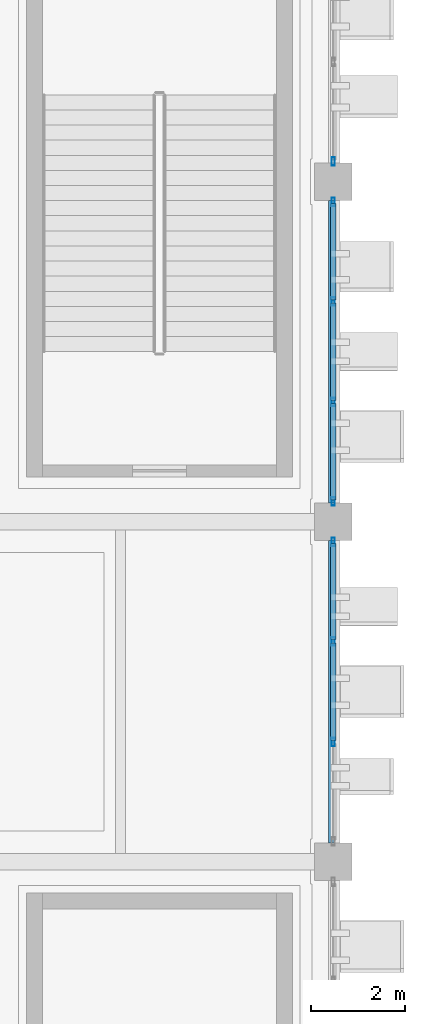
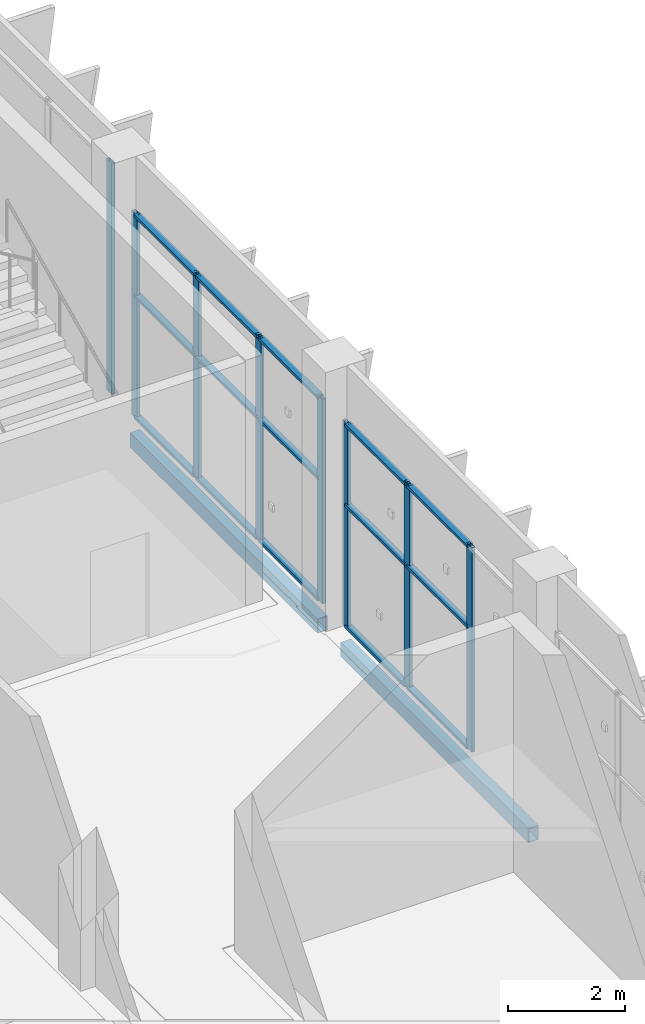
# One storey, part 50 of 137: 23 members, 2 beams, 3 elements without a shape of their own.
"""IFC4 building model written with IfcOpenShell, lengths in metres."""

from ifc_helpers import new_model, si_unit, direction, frame, origin, origin_2d, place, context, subcontext, project, spatial, hollow_rectangle, extrude, material, layer, layer_set, material_profile, profile_set, type_object, element, aggregate, save


model = new_model("IFC4")

# Units and contexts
model_context = context("Model", 3, precision=1e-05, world=origin(), true_north=direction((0.0, 1.0)))
body_context = subcontext(model_context, "Body", "Model", "MODEL_VIEW")
ifc_project = project(units=[si_unit("LENGTHUNIT", "METRE"), si_unit("AREAUNIT", "SQUARE_METRE"), si_unit("VOLUMEUNIT", "CUBIC_METRE"), si_unit("PLANEANGLEUNIT", "RADIAN"), si_unit("MASSUNIT", "GRAM", prefix="KILO")], contexts=[model_context])

# Site, building, storey
site_placement = place(None, origin())
site = spatial("IfcSite", under=ifc_project, at=site_placement, CompositionType="ELEMENT")
building_placement = place(site_placement, origin())
building = spatial("IfcBuilding", under=site, at=building_placement, Name="Celestram Park Convention Centre", CompositionType="ELEMENT")
storey_placement = place(building_placement, origin())
storey = spatial("IfcBuildingStorey", under=building, at=storey_placement, Name="L00", CompositionType="ELEMENT", Elevation=0.0)

# Curtain wall, member
ifc_material_1 = material(Name="Anodised Aluminium Alloy 6063-T6", Category="aluminium")
ifc_layer_1 = layer(ifc_material_1, 0.179931640625)
ifc_layer_set_1 = layer_set([ifc_layer_1], Name="Anodised Aluminium Alloy 6063-T6")
curtain_wall_type_1 = type_object("IfcCurtainWallType", Name="ARC-CW-640X482", PredefinedType="NOTDEFINED", material=ifc_layer_set_1)
curtain_wall_1_placement = place(storey_placement, origin())
curtain_wall_1 = element("IfcCurtainWall", 1, at=curtain_wall_1_placement, inside=storey, type_object=curtain_wall_type_1, Name="Unitised curtain wall CU-L00-021", PredefinedType="NOTDEFINED")
ifc_material_profile_1 = material_profile(ifc_material_1, hollow_rectangle(XDim=0.06494140625, YDim=0.179931640625, WallThickness=0.00390625, at=origin_2d()), Name="ALU65X180X4")
ifc_profile_set_1 = profile_set([ifc_material_profile_1], Name="Anodised Aluminium Alloy 6063-T6")
member_type_1 = type_object("IfcMemberType", Name="ARC-CWM-150", PredefinedType="MULLION", material=ifc_profile_set_1)
member_1_placement = place(storey_placement, frame((216.0, 29.23046875, 0.0), z_axis=(0.0, 0.0, 1.0), x_axis=(1.0, 0.0, 0.0)))
member_1 = element("IfcMember", 2, at=member_1_placement, type_object=member_type_1, Name="CW-64X48 mullion 4", PredefinedType="MULLION", context=body_context, shape_type="SweptSolid", body=[
    extrude(hollow_rectangle(XDim=0.06494140625, YDim=0.179931640625, WallThickness=0.00390625, at=origin_2d()), origin(), (0.0, 0.0, 1.0), 4.820068359375),
])
aggregate(curtain_wall_1, [member_1])

# Curtain wall, members
ifc_layer_2 = layer(ifc_material_1, 0.179931640625)
ifc_layer_set_2 = layer_set([ifc_layer_2], Name="Anodised Aluminium Alloy 6063-T6")
curtain_wall_type_2 = type_object("IfcCurtainWallType", Name="ARC-CW-640X426", PredefinedType="NOTDEFINED", material=ifc_layer_set_2)
curtain_wall_2_placement = place(storey_placement, origin())
curtain_wall_2 = element("IfcCurtainWall", 3, at=curtain_wall_2_placement, inside=storey, type_object=curtain_wall_type_2, Name="Unitised curtain wall CU-L00-022", PredefinedType="NOTDEFINED")
member_2_placement = place(storey_placement, frame((216.0, 28.369384765625, 0.0), z_axis=(0.0, 0.0, 1.0), x_axis=(1.0, 0.0, 0.0)))
member_2 = element("IfcMember", 4, at=member_2_placement, type_object=member_type_1, Name="CW-64X42 mullion 1", PredefinedType="MULLION", context=body_context, shape_type="SweptSolid", body=[
    extrude(hollow_rectangle(XDim=0.06494140625, YDim=0.179931640625, WallThickness=0.00390625, at=origin_2d()), origin(), (0.0, 0.0, 1.0), 4.263916015625),
])
member_3_placement = place(storey_placement, frame((216.0, 26.267333984375, 0.0), z_axis=(0.0, 0.0, 1.0), x_axis=(1.0, 0.0, 0.0)))
member_3 = element("IfcMember", 5, at=member_3_placement, type_object=member_type_1, Name="CW-64X42 mullion 2", PredefinedType="MULLION", context=body_context, shape_type="SweptSolid", body=[
    extrude(hollow_rectangle(XDim=0.06494140625, YDim=0.179931640625, WallThickness=0.00390625, at=origin_2d()), origin(), (0.0, 0.0, 1.0), 4.263916015625),
])
member_4_placement = place(storey_placement, frame((216.0, 24.132568359375, 0.0), z_axis=(0.0, 0.0, 1.0), x_axis=(1.0, 0.0, 0.0)))
member_4 = element("IfcMember", 6, at=member_4_placement, type_object=member_type_1, Name="CW-64X42 mullion 3", PredefinedType="MULLION", context=body_context, shape_type="SweptSolid", body=[
    extrude(hollow_rectangle(XDim=0.06494140625, YDim=0.179931640625, WallThickness=0.00390625, at=origin_2d()), origin(), (0.0, 0.0, 1.0), 4.263916015625),
])
member_5_placement = place(storey_placement, frame((216.0, 22.030517578125, 0.0), z_axis=(0.0, 0.0, 1.0), x_axis=(1.0, 0.0, 0.0)))
member_5 = element("IfcMember", 7, at=member_5_placement, type_object=member_type_1, Name="CW-64X42 mullion 4", PredefinedType="MULLION", context=body_context, shape_type="SweptSolid", body=[
    extrude(hollow_rectangle(XDim=0.06494140625, YDim=0.179931640625, WallThickness=0.00390625, at=origin_2d()), origin(), (0.0, 0.0, 1.0), 4.263916015625),
])

curtain_wall_3_placement = place(storey_placement, origin())
curtain_wall_3 = element("IfcCurtainWall", 8, at=curtain_wall_3_placement, inside=storey, type_object=curtain_wall_type_2, Name="Unitised curtain wall CU-L00-023", PredefinedType="NOTDEFINED")
member_6_placement = place(storey_placement, frame((216.0, 21.16943359375, 0.0), z_axis=(0.0, 0.0, 1.0), x_axis=(1.0, 0.0, 0.0)))
member_6 = element("IfcMember", 9, at=member_6_placement, type_object=member_type_1, Name="CW-64X42 mullion 1", PredefinedType="MULLION", context=body_context, shape_type="SweptSolid", body=[
    extrude(hollow_rectangle(XDim=0.06494140625, YDim=0.179931640625, WallThickness=0.00390625, at=origin_2d()), origin(), (0.0, 0.0, 1.0), 4.263916015625),
])
member_7_placement = place(storey_placement, frame((216.0, 19.0673828125, 0.0), z_axis=(0.0, 0.0, 1.0), x_axis=(1.0, 0.0, 0.0)))
member_7 = element("IfcMember", 10, at=member_7_placement, type_object=member_type_1, Name="CW-64X42 mullion 2", PredefinedType="MULLION", context=body_context, shape_type="SweptSolid", body=[
    extrude(hollow_rectangle(XDim=0.06494140625, YDim=0.179931640625, WallThickness=0.00390625, at=origin_2d()), origin(), (0.0, 0.0, 1.0), 4.263916015625),
])
member_8_placement = place(storey_placement, frame((216.0, 16.9326171875, 0.0), z_axis=(0.0, 0.0, 1.0), x_axis=(1.0, 0.0, 0.0)))
member_8 = element("IfcMember", 11, at=member_8_placement, type_object=member_type_1, Name="CW-64X42 mullion 3", PredefinedType="MULLION", context=body_context, shape_type="SweptSolid", body=[
    extrude(hollow_rectangle(XDim=0.06494140625, YDim=0.179931640625, WallThickness=0.00390625, at=origin_2d()), origin(), (0.0, 0.0, 1.0), 4.263916015625),
])

# Member
ifc_material_profile_2 = material_profile(ifc_material_1, hollow_rectangle(XDim=0.1201171875, YDim=0.06005859375, WallThickness=0.0029296875, at=origin_2d()), Name="ALU120X60X3")
ifc_profile_set_2 = profile_set([ifc_material_profile_2], Name="Anodised Aluminium Alloy 6063-T6")
member_type_2 = type_object("IfcMemberType", Name="ARC-CWT-120", PredefinedType="USERDEFINED", material=ifc_profile_set_2)
member_9_placement = place(storey_placement, frame((216.0, 28.3369140625, 0.030029296875), z_axis=(0.0, -1.0, 0.0), x_axis=(1.0, 0.0, 0.0)))
member_9 = element("IfcMember", 12, at=member_9_placement, type_object=member_type_2, Name="CW-64X42 transom 1.1", ObjectType="TRANSOM", PredefinedType="USERDEFINED", context=body_context, shape_type="SweptSolid", body=[
    extrude(hollow_rectangle(XDim=0.1201171875, YDim=0.06005859375, WallThickness=0.0029296875, at=origin_2d()), origin(), (0.0, 0.0, 1.0), 2.037109375),
])

member_10_placement = place(storey_placement, frame((216.0, 28.3369140625, 2.55810546875), z_axis=(0.0, -1.0, 0.0), x_axis=(1.0, 0.0, 0.0)))
member_10 = element("IfcMember", 13, at=member_10_placement, type_object=member_type_2, Name="CW-64X42 transom 1.2", ObjectType="TRANSOM", PredefinedType="USERDEFINED", context=body_context, shape_type="SweptSolid", body=[
    extrude(hollow_rectangle(XDim=0.1201171875, YDim=0.06005859375, WallThickness=0.0029296875, at=origin_2d()), origin(), (0.0, 0.0, 1.0), 2.037109375),
])

member_11_placement = place(storey_placement, frame((216.0, 28.3369140625, 4.23388671875), z_axis=(0.0, -1.0, 0.0), x_axis=(1.0, 0.0, 0.0)))
member_11 = element("IfcMember", 14, at=member_11_placement, type_object=member_type_2, Name="CW-64X42 transom 1.3", ObjectType="TRANSOM", PredefinedType="USERDEFINED", context=body_context, shape_type="SweptSolid", body=[
    extrude(hollow_rectangle(XDim=0.1201171875, YDim=0.06005859375, WallThickness=0.0029296875, at=origin_2d()), origin(), (0.0, 0.0, 1.0), 2.037109375),
])

member_12_placement = place(storey_placement, frame((216.0, 26.23486328125, 0.030029296875), z_axis=(0.0, -1.0, 0.0), x_axis=(1.0, 0.0, 0.0)))
member_12 = element("IfcMember", 15, at=member_12_placement, type_object=member_type_2, Name="CW-64X42 transom 2.1", ObjectType="TRANSOM", PredefinedType="USERDEFINED", context=body_context, shape_type="SweptSolid", body=[
    extrude(hollow_rectangle(XDim=0.1201171875, YDim=0.06005859375, WallThickness=0.0029296875, at=origin_2d()), origin(), (0.0, 0.0, 1.0), 2.069580078125),
])

member_13_placement = place(storey_placement, frame((216.0, 26.23486328125, 2.55810546875), z_axis=(0.0, -1.0, 0.0), x_axis=(1.0, 0.0, 0.0)))
member_13 = element("IfcMember", 16, at=member_13_placement, type_object=member_type_2, Name="CW-64X42 transom 2.2", ObjectType="TRANSOM", PredefinedType="USERDEFINED", context=body_context, shape_type="SweptSolid", body=[
    extrude(hollow_rectangle(XDim=0.1201171875, YDim=0.06005859375, WallThickness=0.0029296875, at=origin_2d()), origin(), (0.0, 0.0, 1.0), 2.069580078125),
])

member_14_placement = place(storey_placement, frame((216.0, 26.23486328125, 4.23388671875), z_axis=(0.0, -1.0, 0.0), x_axis=(1.0, 0.0, 0.0)))
member_14 = element("IfcMember", 17, at=member_14_placement, type_object=member_type_2, Name="CW-64X42 transom 2.3", ObjectType="TRANSOM", PredefinedType="USERDEFINED", context=body_context, shape_type="SweptSolid", body=[
    extrude(hollow_rectangle(XDim=0.1201171875, YDim=0.06005859375, WallThickness=0.0029296875, at=origin_2d()), origin(), (0.0, 0.0, 1.0), 2.069580078125),
])

member_15_placement = place(storey_placement, frame((216.0, 24.10009765625, 0.030029296875), z_axis=(0.0, -1.0, 0.0), x_axis=(1.0, 0.0, 0.0)))
member_15 = element("IfcMember", 18, at=member_15_placement, type_object=member_type_2, Name="CW-64X42 transom 3.1", ObjectType="TRANSOM", PredefinedType="USERDEFINED", context=body_context, shape_type="SweptSolid", body=[
    extrude(hollow_rectangle(XDim=0.1201171875, YDim=0.06005859375, WallThickness=0.0029296875, at=origin_2d()), origin(), (0.0, 0.0, 1.0), 2.037109375),
])

member_16_placement = place(storey_placement, frame((216.0, 24.10009765625, 2.55810546875), z_axis=(0.0, -1.0, 0.0), x_axis=(1.0, 0.0, 0.0)))
member_16 = element("IfcMember", 19, at=member_16_placement, type_object=member_type_2, Name="CW-64X42 transom 3.2", ObjectType="TRANSOM", PredefinedType="USERDEFINED", context=body_context, shape_type="SweptSolid", body=[
    extrude(hollow_rectangle(XDim=0.1201171875, YDim=0.06005859375, WallThickness=0.0029296875, at=origin_2d()), origin(), (0.0, 0.0, 1.0), 2.037109375),
])

member_17_placement = place(storey_placement, frame((216.0, 24.10009765625, 4.23388671875), z_axis=(0.0, -1.0, 0.0), x_axis=(1.0, 0.0, 0.0)))
member_17 = element("IfcMember", 20, at=member_17_placement, type_object=member_type_2, Name="CW-64X42 transom 3.3", ObjectType="TRANSOM", PredefinedType="USERDEFINED", context=body_context, shape_type="SweptSolid", body=[
    extrude(hollow_rectangle(XDim=0.1201171875, YDim=0.06005859375, WallThickness=0.0029296875, at=origin_2d()), origin(), (0.0, 0.0, 1.0), 2.037109375),
])

aggregate(curtain_wall_2, [member_2, member_3, member_4, member_5, member_9, member_10, member_11, member_12, member_13, member_14, member_15, member_16, member_17])

member_18_placement = place(storey_placement, frame((216.0, 21.136962890625, 0.030029296875), z_axis=(0.0, -1.0, 0.0), x_axis=(1.0, 0.0, 0.0)))
member_18 = element("IfcMember", 21, at=member_18_placement, type_object=member_type_2, Name="CW-64X42 transom 1.1", ObjectType="TRANSOM", PredefinedType="USERDEFINED", context=body_context, shape_type="SweptSolid", body=[
    extrude(hollow_rectangle(XDim=0.1201171875, YDim=0.06005859375, WallThickness=0.0029296875, at=origin_2d()), origin(), (0.0, 0.0, 1.0), 2.037109375),
])

member_19_placement = place(storey_placement, frame((216.0, 21.136962890625, 2.55810546875), z_axis=(0.0, -1.0, 0.0), x_axis=(1.0, 0.0, 0.0)))
member_19 = element("IfcMember", 22, at=member_19_placement, type_object=member_type_2, Name="CW-64X42 transom 1.2", ObjectType="TRANSOM", PredefinedType="USERDEFINED", context=body_context, shape_type="SweptSolid", body=[
    extrude(hollow_rectangle(XDim=0.1201171875, YDim=0.06005859375, WallThickness=0.0029296875, at=origin_2d()), origin(), (0.0, 0.0, 1.0), 2.037109375),
])

member_20_placement = place(storey_placement, frame((216.0, 21.136962890625, 4.23388671875), z_axis=(0.0, -1.0, 0.0), x_axis=(1.0, 0.0, 0.0)))
member_20 = element("IfcMember", 23, at=member_20_placement, type_object=member_type_2, Name="CW-64X42 transom 1.3", ObjectType="TRANSOM", PredefinedType="USERDEFINED", context=body_context, shape_type="SweptSolid", body=[
    extrude(hollow_rectangle(XDim=0.1201171875, YDim=0.06005859375, WallThickness=0.0029296875, at=origin_2d()), origin(), (0.0, 0.0, 1.0), 2.037109375),
])

member_21_placement = place(storey_placement, frame((216.0, 19.034912109375, 0.030029296875), z_axis=(0.0, -1.0, 0.0), x_axis=(1.0, 0.0, 0.0)))
member_21 = element("IfcMember", 24, at=member_21_placement, type_object=member_type_2, Name="CW-64X42 transom 2.1", ObjectType="TRANSOM", PredefinedType="USERDEFINED", context=body_context, shape_type="SweptSolid", body=[
    extrude(hollow_rectangle(XDim=0.1201171875, YDim=0.06005859375, WallThickness=0.0029296875, at=origin_2d()), origin(), (0.0, 0.0, 1.0), 2.06982421875),
])

member_22_placement = place(storey_placement, frame((216.0, 19.034912109375, 2.55810546875), z_axis=(0.0, -1.0, 0.0), x_axis=(1.0, 0.0, 0.0)))
member_22 = element("IfcMember", 25, at=member_22_placement, type_object=member_type_2, Name="CW-64X42 transom 2.2", ObjectType="TRANSOM", PredefinedType="USERDEFINED", context=body_context, shape_type="SweptSolid", body=[
    extrude(hollow_rectangle(XDim=0.1201171875, YDim=0.06005859375, WallThickness=0.0029296875, at=origin_2d()), origin(), (0.0, 0.0, 1.0), 2.06982421875),
])

member_23_placement = place(storey_placement, frame((216.0, 19.034912109375, 4.23388671875), z_axis=(0.0, -1.0, 0.0), x_axis=(1.0, 0.0, 0.0)))
member_23 = element("IfcMember", 26, at=member_23_placement, type_object=member_type_2, Name="CW-64X42 transom 2.3", ObjectType="TRANSOM", PredefinedType="USERDEFINED", context=body_context, shape_type="SweptSolid", body=[
    extrude(hollow_rectangle(XDim=0.1201171875, YDim=0.06005859375, WallThickness=0.0029296875, at=origin_2d()), origin(), (0.0, 0.0, 1.0), 2.06982421875),
])

aggregate(curtain_wall_3, [member_6, member_7, member_8, member_18, member_19, member_20, member_21, member_22, member_23])

# Beams
ifc_material_2 = material(Name="Steel ASTM A500 Grade C", Category="steel")
ifc_material_profile_3 = material_profile(ifc_material_2, hollow_rectangle(XDim=0.199951171875, YDim=0.300048828125, WallThickness=0.011962890625, at=origin_2d()), Name="HSS300X200X12")
ifc_profile_set_3 = profile_set([ifc_material_profile_3], Name="Steel ASTM A500 Grade C")
beam_type = type_object("IfcBeamType", Name="STR-SPN-HSS300X200", PredefinedType="SPANDREL", material=ifc_profile_set_3)
beam_1_placement = place(storey_placement, frame((216.0, 14.798095703125, -0.469970703125), z_axis=(0.0, 1.0, 0.0), x_axis=(-1.0, 0.0, 0.0)))
element("IfcBeam", 27, at=beam_1_placement, inside=storey, type_object=beam_type, Name="Primary Y-girder BG-L00-0870", PredefinedType="SPANDREL", context=body_context, shape_type="SweptSolid", body=[
    extrude(hollow_rectangle(XDim=0.199951171875, YDim=0.300048828125, WallThickness=0.011962890625, at=origin_2d()), origin(), (0.0, 0.0, 1.0), 6.40380859375),
])
beam_2_placement = place(storey_placement, frame((216.0, 21.998046875, -0.469970703125), z_axis=(0.0, 1.0, 0.0), x_axis=(-1.0, 0.0, 0.0)))
element("IfcBeam", 28, at=beam_2_placement, inside=storey, type_object=beam_type, Name="Primary Y-girder BG-L00-0871", PredefinedType="SPANDREL", context=body_context, shape_type="SweptSolid", body=[
    extrude(hollow_rectangle(XDim=0.199951171875, YDim=0.300048828125, WallThickness=0.011962890625, at=origin_2d()), origin(), (0.0, 0.0, 1.0), 6.404052734375),
])

save(model, "model.ifc")
